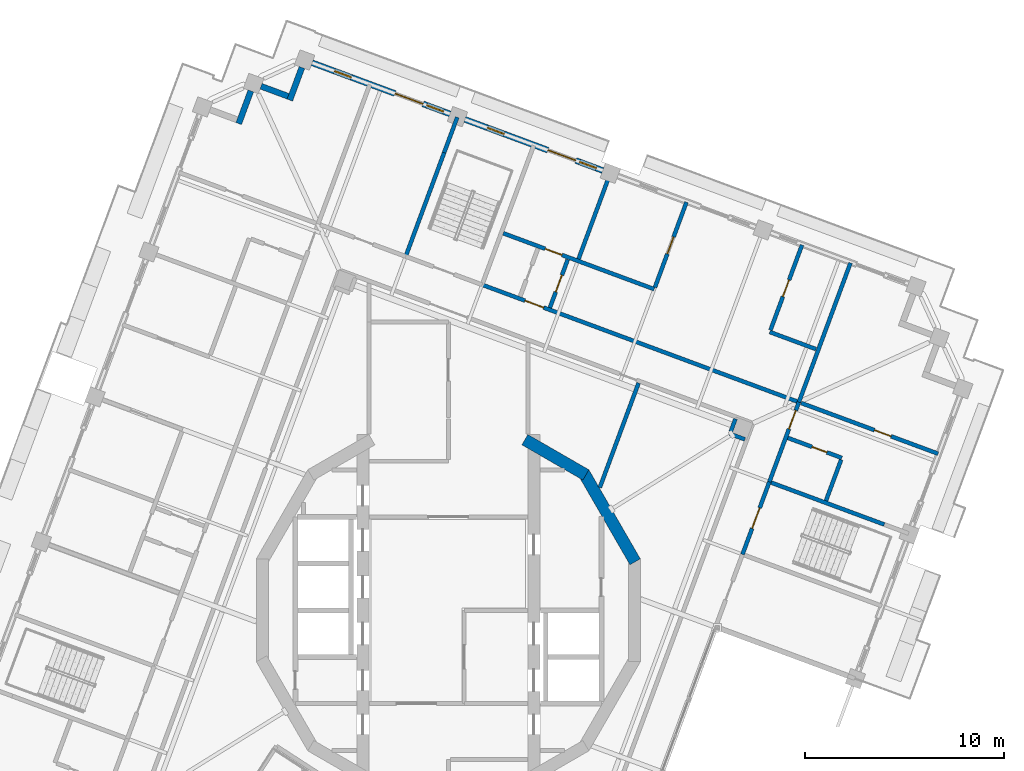
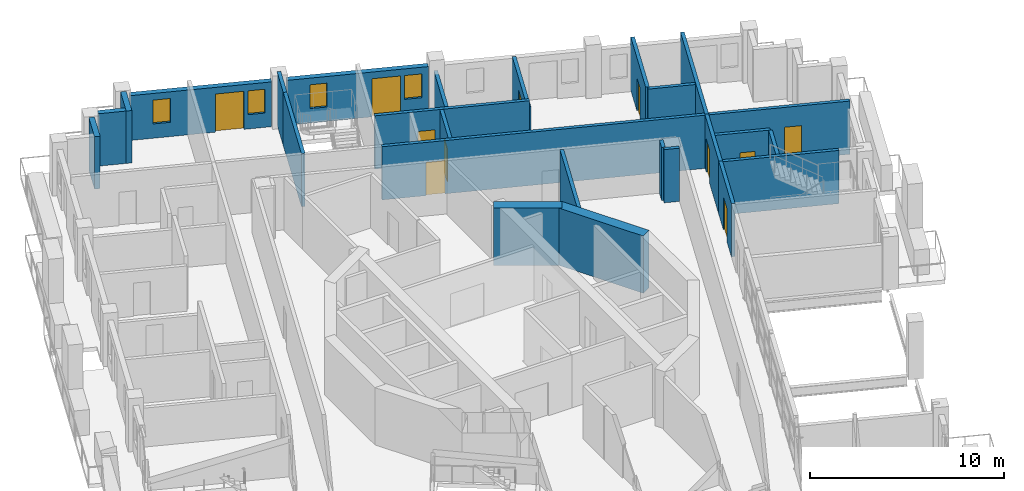
# One storey, part 10 of 19: 26 walls, 11 doors, 4 windows, 15 openings.
"""IFC4 building model written with IfcOpenShell, lengths in metres."""

from ifc_helpers import new_model, si_unit, direction, frame, frame_2d, origin, place, context, subcontext, project, spatial, rectangle, extrude, material, layer, layer_set, type_object, element, fill, save


model = new_model("IFC4")

# Units and contexts
model_context = context("Model", 3, precision=1e-05, world=origin(), true_north=direction((0.0, 1.0)))
body_context = subcontext(model_context, "Body", "Model", "MODEL_VIEW")
ifc_project = project(units=[si_unit("LENGTHUNIT", "METRE"), si_unit("AREAUNIT", "SQUARE_METRE"), si_unit("VOLUMEUNIT", "CUBIC_METRE"), si_unit("PLANEANGLEUNIT", "RADIAN"), si_unit("MASSUNIT", "GRAM", prefix="KILO")], contexts=[model_context])

# Site, building, storey
site_placement = place(None, origin())
site = spatial("IfcSite", under=ifc_project, at=site_placement, CompositionType="ELEMENT")
building_placement = place(site_placement, origin())
building = spatial("IfcBuilding", under=site, at=building_placement, Name="Cantera Rosa Tower", CompositionType="ELEMENT")
storey_placement = place(building_placement, frame((0.0, 0.0, 334.89990234375)))
storey = spatial("IfcBuildingStorey", under=building, at=storey_placement, Name="L75", CompositionType="ELEMENT", Elevation=334.89990234375)

# Wall, opening, door
ifc_material_1 = material(Name="Gypsum board partition")
ifc_layer_1 = layer(ifc_material_1, 0.199951171875)
ifc_layer_set_1 = layer_set([ifc_layer_1], Name="CORRIDOR WALL 200 H3350")
wall_type_1 = type_object("IfcWallType", Name="CORRIDOR WALL 200 H3350", PredefinedType="PARTITIONING", material=ifc_layer_set_1)
wall_1_placement = place(storey_placement, frame((16.1513671875, 6.460205078125, 0.0), z_axis=(0.0, 0.0, 1.0), x_axis=(0.347438825371, 0.937702651497, 0.0)))
wall_1 = element("IfcWall", 1, at=wall_1_placement, inside=storey, type_object=wall_type_1, Name="CORRIDOR WALL L75-109", PredefinedType="PARTITIONING", context=body_context, shape_type="SweptSolid", body=[
    extrude(rectangle(XDim=4.280029296875, YDim=0.199951171875, at=frame_2d((2.14013671875, 0.0))), origin(), (0.0, 0.0, 1.0), 3.35009765625),
])
opening_1_placement = place(wall_1_placement, frame((2.840087890625, 0.0, 0.0)))
opening_1 = element("IfcOpeningElement", 2, at=opening_1_placement, cuts=wall_1, Name="Opening L75-049", PredefinedType="OPENING", context=body_context, shape_type="SweptSolid", body=[
    extrude(rectangle(XDim=1.0, YDim=2.10009765625, at=frame_2d((0.5, 1.050048828125))), frame((0.0, 0.10986328125, 0.0), z_axis=(0.0, -1.0, 0.0), x_axis=(1.0, 0.0, 0.0)), (0.0, 0.0, 1.0), 0.219970703125),
])
ifc_material_2 = material(Name="Timber door leaf", Category="wood")
door_type_1 = type_object("IfcDoorType", Name="ENTRANCE DOOR 1000x2100", OperationType="NOTDEFINED", PredefinedType="DOOR", material=ifc_material_2)
door_1_placement = place(opening_1_placement, origin())
door_1 = element("IfcDoor", 3, at=door_1_placement, inside=storey, type_object=door_type_1, Name="DOOR L75-049", OperationType="NOTDEFINED", OverallHeight=2.10009765625, OverallWidth=1.0, PredefinedType="DOOR", context=body_context, shape_type="SweptSolid", body=[
    extrude(rectangle(XDim=1.0, YDim=2.10009765625, at=frame_2d((0.5, 1.050048828125))), frame((0.0, 0.02490234375, 0.0), z_axis=(0.0, -1.0, 0.0), x_axis=(1.0, 0.0, 0.0)), (0.0, 0.0, 1.0), 0.050048828125),
])
fill(opening_1, door_1)

wall_2_placement = place(storey_placement, frame((17.544677734375, 10.50830078125, 0.0), z_axis=(0.0, 0.0, 1.0), x_axis=(-0.937684617113, 0.347487494493, 0.0)))
wall_2 = element("IfcWall", 4, at=wall_2_placement, inside=storey, type_object=wall_type_1, Name="CORRIDOR WALL L75-112", PredefinedType="PARTITIONING", context=body_context, shape_type="SweptSolid", body=[
    extrude(rectangle(XDim=16.900146484375, YDim=0.199951171875, at=frame_2d((8.4501953125, 0.0))), origin(), (0.0, 0.0, 1.0), 3.35009765625),
])
opening_2_placement = place(wall_2_placement, frame((13.60009765625, 0.0, 0.0)))
opening_2 = element("IfcOpeningElement", 5, at=opening_2_placement, cuts=wall_2, Name="Opening L75-021", PredefinedType="OPENING", context=body_context, shape_type="SweptSolid", body=[
    extrude(rectangle(XDim=1.0, YDim=2.10009765625, at=frame_2d((0.5, 1.050048828125))), frame((0.0, 0.10986328125, 0.0), z_axis=(0.0, -1.0, 0.0), x_axis=(1.0, 0.0, 0.0)), (0.0, 0.0, 1.0), 0.219970703125),
])
door_2_placement = place(opening_2_placement, origin())
door_2 = element("IfcDoor", 6, at=door_2_placement, inside=storey, type_object=door_type_1, Name="DOOR L75-021", OperationType="NOTDEFINED", OverallHeight=2.10009765625, OverallWidth=1.0, PredefinedType="DOOR", context=body_context, shape_type="SweptSolid", body=[
    extrude(rectangle(XDim=1.0, YDim=2.10009765625, at=frame_2d((0.5, 1.050048828125))), frame((0.0, 0.02490234375, 0.0), z_axis=(0.0, -1.0, 0.0), x_axis=(1.0, 0.0, 0.0)), (0.0, 0.0, 1.0), 0.050048828125),
])
fill(opening_2, door_2)

# Walls
ifc_material_3 = material(Name="Hollow clay masonry with cantera stone cladding", Category="masonry")
ifc_layer_2 = layer(ifc_material_3, 0.300048828125)
ifc_layer_set_2 = layer_set([ifc_layer_2], Name="EW-LOGGIA 300")
wall_type_2 = type_object("IfcWallType", Name="EW-LOGGIA 300", PredefinedType="SOLIDWALL", material=ifc_layer_set_2)
wall_3_placement = place(storey_placement, frame((-7.36865234375, 27.312255859375, 0.0), z_axis=(0.0, 0.0, 1.0), x_axis=(-0.34752790836, -0.937669639538, 0.0)))
element("IfcWall", 7, at=wall_3_placement, inside=storey, type_object=wall_type_2, Name="EN-L75-W05a", PredefinedType="SOLIDWALL", context=body_context, shape_type="SweptSolid", body=[
    extrude(rectangle(XDim=1.75, YDim=0.300048828125, at=frame_2d((0.875, 0.0))), origin(), (0.0, 0.0, 1.0), 3.300048828125),
])
wall_4_placement = place(storey_placement, frame((-8.065185546875, 25.8642578125, 0.0), z_axis=(0.0, 0.0, 1.0), x_axis=(-0.937671557958, 0.347522732201, 0.0)))
element("IfcWall", 8, at=wall_4_placement, inside=storey, type_object=wall_type_2, Name="EN-L75-W05b", PredefinedType="SOLIDWALL", context=body_context, shape_type="SweptSolid", body=[
    extrude(rectangle(XDim=1.449951171875, YDim=0.300048828125, at=frame_2d((0.72509765625, 0.0))), origin(), (0.0, 0.0, 1.0), 3.300048828125),
])
wall_5_placement = place(storey_placement, frame((-9.93896484375, 26.132080078125, 0.0), z_axis=(0.0, 0.0, 1.0), x_axis=(-0.34748245117, -0.937686486054, 0.0)))
element("IfcWall", 9, at=wall_5_placement, inside=storey, type_object=wall_type_2, Name="EN-L75-W06a", PredefinedType="SOLIDWALL", context=body_context, shape_type="SweptSolid", body=[
    extrude(rectangle(XDim=1.750244140625, YDim=0.300048828125, at=frame_2d((0.875, 0.0))), origin(), (0.0, 0.0, 1.0), 3.300048828125),
])

# Wall, openings, windows, door
ifc_material_4 = material(Name="Hollow clay masonry with cantera stone cladding", Category="masonry")
ifc_layer_3 = layer(ifc_material_4, 0.300048828125)
ifc_layer_set_3 = layer_set([ifc_layer_3], Name="EW-LOGGIA 300 H2820")
wall_type_3 = type_object("IfcWallType", Name="EW-LOGGIA 300 H2820", PredefinedType="SOLIDWALL", material=ifc_layer_set_3)
wall_6_placement = place(storey_placement, frame((7.7734375, 22.127685546875, 0.0), z_axis=(0.0, 0.0, 1.0), x_axis=(-0.937680690562, 0.34749808999, 0.0)))
wall_6 = element("IfcWall", 10, at=wall_6_placement, inside=storey, type_object=wall_type_3, Name="EN-L75-W03", PredefinedType="SOLIDWALL", context=body_context, shape_type="SweptSolid", body=[
    extrude(rectangle(XDim=7.400146484375, YDim=0.300048828125, at=frame_2d((3.7001953125, 0.0))), origin(), (0.0, 0.0, 1.0), 2.820068359375),
])
opening_3_placement = place(wall_6_placement, frame((0.35009765625, 0.0, 0.89990234375)))
opening_3 = element("IfcOpeningElement", 11, at=opening_3_placement, cuts=wall_6, Name="Opening L75-W07", PredefinedType="OPENING", context=body_context, shape_type="SweptSolid", body=[
    extrude(rectangle(XDim=0.89990234375, YDim=1.5, at=frame_2d((0.449951171875, 0.75))), frame((0.0, 0.159912109375, 0.0), z_axis=(0.0, -1.0, 0.0), x_axis=(1.0, 0.0, 0.0)), (0.0, 0.0, 1.0), 0.320068359375),
])
opening_4_placement = place(wall_6_placement, frame((1.449951171875, 0.0, 0.0)))
opening_4 = element("IfcOpeningElement", 12, at=opening_4_placement, cuts=wall_6, Name="Opening L75-TD08", PredefinedType="OPENING", context=body_context, shape_type="SweptSolid", body=[
    extrude(rectangle(XDim=1.5, YDim=2.39990234375, at=frame_2d((0.75, 1.199951171875))), frame((0.0, 0.159912109375, 0.0), z_axis=(0.0, -1.0, 0.0), x_axis=(1.0, 0.0, 0.0)), (0.0, 0.0, 1.0), 0.320068359375),
])
opening_5_placement = place(wall_6_placement, frame((5.300048828125, 0.0, 0.89990234375)))
opening_5 = element("IfcOpeningElement", 13, at=opening_5_placement, cuts=wall_6, Name="Opening L75-W09", PredefinedType="OPENING", context=body_context, shape_type="SweptSolid", body=[
    extrude(rectangle(XDim=0.89990234375, YDim=1.5, at=frame_2d((0.449951171875, 0.75))), frame((0.0, 0.159912109375, 0.0), z_axis=(0.0, -1.0, 0.0), x_axis=(1.0, 0.0, 0.0)), (0.0, 0.0, 1.0), 0.320068359375),
])
ifc_material_5 = material(Name="Aluminium frame with clear glass", Category="aluminium")
window_type = type_object("IfcWindowType", Name="Residential window 900x1500", PartitioningType="SINGLE_PANEL", PredefinedType="WINDOW", material=ifc_material_5)
window_1_placement = place(opening_3_placement, origin())
window_1 = element("IfcWindow", 14, at=window_1_placement, inside=storey, type_object=window_type, Name="WINDOW L75-W07", OverallHeight=1.5, OverallWidth=0.89990234375, PartitioningType="SINGLE_PANEL", PredefinedType="WINDOW", context=body_context, shape_type="SweptSolid", body=[
    extrude(rectangle(XDim=0.89990234375, YDim=1.5, at=frame_2d((0.449951171875, 0.75))), frame((0.0, 0.030029296875, 0.0), z_axis=(0.0, -1.0, 0.0), x_axis=(1.0, 0.0, 0.0)), (0.0, 0.0, 1.0), 0.06005859375),
])
fill(opening_3, window_1)
window_2_placement = place(opening_5_placement, origin())
window_2 = element("IfcWindow", 15, at=window_2_placement, inside=storey, type_object=window_type, Name="WINDOW L75-W09", OverallHeight=1.5, OverallWidth=0.89990234375, PartitioningType="SINGLE_PANEL", PredefinedType="WINDOW", context=body_context, shape_type="SweptSolid", body=[
    extrude(rectangle(XDim=0.89990234375, YDim=1.5, at=frame_2d((0.449951171875, 0.75))), frame((0.0, 0.030029296875, 0.0), z_axis=(0.0, -1.0, 0.0), x_axis=(1.0, 0.0, 0.0)), (0.0, 0.0, 1.0), 0.06005859375),
])
fill(opening_5, window_2)
ifc_material_6 = material(Name="Aluminium frame with clear glass", Category="aluminium")
door_type_2 = type_object("IfcDoorType", Name="TD-R 1500x2400", OperationType="NOTDEFINED", PredefinedType="DOOR", material=ifc_material_6)
door_3_placement = place(opening_4_placement, origin())
door_3 = element("IfcDoor", 16, at=door_3_placement, inside=storey, type_object=door_type_2, Name="LOGGIA DOOR L75-TD08", OperationType="SLIDING_TO_LEFT", OverallHeight=2.39990234375, OverallWidth=1.5, PredefinedType="DOOR", context=body_context, shape_type="SweptSolid", body=[
    extrude(rectangle(XDim=1.5, YDim=2.39990234375, at=frame_2d((0.75, 1.199951171875))), frame((0.0, 0.02490234375, 0.0), z_axis=(0.0, -1.0, 0.0), x_axis=(1.0, 0.0, 0.0)), (0.0, 0.0, 1.0), 0.050048828125),
])
fill(opening_4, door_3)

wall_7_placement = place(storey_placement, frame((0.084228515625, 24.97705078125, 0.0), z_axis=(0.0, 0.0, 1.0), x_axis=(-0.937687456783, 0.347479831633, 0.0)))
wall_7 = element("IfcWall", 17, at=wall_7_placement, inside=storey, type_object=wall_type_3, Name="EN-L75-W04", PredefinedType="SOLIDWALL", context=body_context, shape_type="SweptSolid", body=[
    extrude(rectangle(XDim=7.39990234375, YDim=0.300048828125, at=frame_2d((3.699951171875, 0.0))), origin(), (0.0, 0.0, 1.0), 2.820068359375),
])
opening_6_placement = place(wall_7_placement, frame((0.35009765625, 0.0, 0.89990234375)))
opening_6 = element("IfcOpeningElement", 18, at=opening_6_placement, cuts=wall_7, Name="Opening L75-W10", PredefinedType="OPENING", context=body_context, shape_type="SweptSolid", body=[
    extrude(rectangle(XDim=0.89990234375, YDim=1.5, at=frame_2d((0.449951171875, 0.75))), frame((0.0, 0.159912109375, 0.0), z_axis=(0.0, -1.0, 0.0), x_axis=(1.0, 0.0, 0.0)), (0.0, 0.0, 1.0), 0.320068359375),
])
opening_7_placement = place(wall_7_placement, frame((1.449951171875, 0.0, 0.0)))
opening_7 = element("IfcOpeningElement", 19, at=opening_7_placement, cuts=wall_7, Name="Opening L75-TD11", PredefinedType="OPENING", context=body_context, shape_type="SweptSolid", body=[
    extrude(rectangle(XDim=1.5, YDim=2.39990234375, at=frame_2d((0.75, 1.199951171875))), frame((0.0, 0.159912109375, 0.0), z_axis=(0.0, -1.0, 0.0), x_axis=(1.0, 0.0, 0.0)), (0.0, 0.0, 1.0), 0.320068359375),
])
opening_8_placement = place(wall_7_placement, frame((5.300048828125, 0.0, 0.89990234375)))
opening_8 = element("IfcOpeningElement", 20, at=opening_8_placement, cuts=wall_7, Name="Opening L75-W12", PredefinedType="OPENING", context=body_context, shape_type="SweptSolid", body=[
    extrude(rectangle(XDim=0.89990234375, YDim=1.5, at=frame_2d((0.449951171875, 0.75))), frame((0.0, 0.159912109375, 0.0), z_axis=(0.0, -1.0, 0.0), x_axis=(1.0, 0.0, 0.0)), (0.0, 0.0, 1.0), 0.320068359375),
])
window_3_placement = place(opening_6_placement, origin())
window_3 = element("IfcWindow", 21, at=window_3_placement, inside=storey, type_object=window_type, Name="WINDOW L75-W10", OverallHeight=1.5, OverallWidth=0.89990234375, PartitioningType="SINGLE_PANEL", PredefinedType="WINDOW", context=body_context, shape_type="SweptSolid", body=[
    extrude(rectangle(XDim=0.89990234375, YDim=1.5, at=frame_2d((0.449951171875, 0.75))), frame((0.0, 0.030029296875, 0.0), z_axis=(0.0, -1.0, 0.0), x_axis=(1.0, 0.0, 0.0)), (0.0, 0.0, 1.0), 0.06005859375),
])
fill(opening_6, window_3)
window_4_placement = place(opening_8_placement, origin())
window_4 = element("IfcWindow", 22, at=window_4_placement, inside=storey, type_object=window_type, Name="WINDOW L75-W12", OverallHeight=1.5, OverallWidth=0.89990234375, PartitioningType="SINGLE_PANEL", PredefinedType="WINDOW", context=body_context, shape_type="SweptSolid", body=[
    extrude(rectangle(XDim=0.89990234375, YDim=1.5, at=frame_2d((0.449951171875, 0.75))), frame((0.0, 0.030029296875, 0.0), z_axis=(0.0, -1.0, 0.0), x_axis=(1.0, 0.0, 0.0)), (0.0, 0.0, 1.0), 0.06005859375),
])
fill(opening_8, window_4)
door_4_placement = place(opening_7_placement, origin())
door_4 = element("IfcDoor", 23, at=door_4_placement, inside=storey, type_object=door_type_2, Name="LOGGIA DOOR L75-TD11", OperationType="SLIDING_TO_LEFT", OverallHeight=2.39990234375, OverallWidth=1.5, PredefinedType="DOOR", context=body_context, shape_type="SweptSolid", body=[
    extrude(rectangle(XDim=1.5, YDim=2.39990234375, at=frame_2d((0.75, 1.199951171875))), frame((0.0, 0.02490234375, 0.0), z_axis=(0.0, -1.0, 0.0), x_axis=(1.0, 0.0, 0.0)), (0.0, 0.0, 1.0), 0.050048828125),
])
fill(opening_7, door_4)

# Wall
ifc_material_7 = material(Name="Gypsum board partition")
ifc_layer_4 = layer(ifc_material_7, 0.199951171875)
ifc_layer_set_4 = layer_set([ifc_layer_4], Name="PARTITION 200 H2450")
wall_type_4 = type_object("IfcWallType", Name="PARTITION 200 H2450", PredefinedType="PARTITIONING", material=ifc_layer_set_4)
wall_8_placement = place(storey_placement, frame((8.137939453125, 21.960693359375, 0.0), z_axis=(0.0, 0.0, 1.0), x_axis=(-0.347450063389, -0.937698487495, 0.0)))
element("IfcWall", 24, at=wall_8_placement, inside=storey, type_object=wall_type_4, Name="PARTITION L75-100", PredefinedType="PARTITIONING", context=body_context, shape_type="SweptSolid", body=[
    extrude(rectangle(XDim=4.570068359375, YDim=0.199951171875, at=frame_2d((2.28515625, 0.0))), origin(), (0.0, 0.0, 1.0), 2.4501953125),
])

# Wall, opening, door
ifc_material_8 = material(Name="Gypsum board partition")
ifc_layer_5 = layer(ifc_material_8, 0.199951171875)
ifc_layer_set_5 = layer_set([ifc_layer_5], Name="PARTITION 200 H2850")
wall_type_5 = type_object("IfcWallType", Name="PARTITION 200 H2850", PredefinedType="PARTITIONING", material=ifc_layer_set_5)
wall_9_placement = place(storey_placement, frame((11.982421875, 20.535888671875, 0.0), z_axis=(0.0, 0.0, 1.0), x_axis=(-0.347467468938, -0.937692037947, 0.0)))
wall_9 = element("IfcWall", 25, at=wall_9_placement, inside=storey, type_object=wall_type_5, Name="PARTITION L75-103", PredefinedType="PARTITIONING", context=body_context, shape_type="SweptSolid", body=[
    extrude(rectangle(XDim=4.56982421875, YDim=0.199951171875, at=frame_2d((2.284912109375, 0.0))), origin(), (0.0, 0.0, 1.0), 2.85009765625),
])
opening_9_placement = place(wall_9_placement, frame((1.8701171875, 0.0, 0.0)))
opening_9 = element("IfcOpeningElement", 26, at=opening_9_placement, cuts=wall_9, Name="Opening L75-025", PredefinedType="OPENING", context=body_context, shape_type="SweptSolid", body=[
    extrude(rectangle(XDim=0.89990234375, YDim=2.10009765625, at=frame_2d((0.449951171875, 1.050048828125))), frame((0.0, 0.10986328125, 0.0), z_axis=(0.0, -1.0, 0.0), x_axis=(1.0, 0.0, 0.0)), (0.0, 0.0, 1.0), 0.219970703125),
])
ifc_material_9 = material(Name="Timber door leaf", Category="wood")
door_type_3 = type_object("IfcDoorType", Name="ROOM DOOR 900x2100", OperationType="NOTDEFINED", PredefinedType="DOOR", material=ifc_material_9)
door_5_placement = place(opening_9_placement, origin())
door_5 = element("IfcDoor", 27, at=door_5_placement, inside=storey, type_object=door_type_3, Name="DOOR L75-025", OperationType="NOTDEFINED", OverallHeight=2.10009765625, OverallWidth=0.89990234375, PredefinedType="DOOR", context=body_context, shape_type="SweptSolid", body=[
    extrude(rectangle(XDim=0.89990234375, YDim=2.10009765625, at=frame_2d((0.449951171875, 1.050048828125))), frame((0.0, 0.02490234375, 0.0), z_axis=(0.0, -1.0, 0.0), x_axis=(1.0, 0.0, 0.0)), (0.0, 0.0, 1.0), 0.050048828125),
])
fill(opening_9, door_5)

ifc_material_10 = material(Name="Gypsum board partition")
ifc_layer_6 = layer(ifc_material_10, 0.199951171875)
ifc_layer_set_6 = layer_set([ifc_layer_6], Name="PARTITION 200 H3350")
wall_type_6 = type_object("IfcWallType", Name="PARTITION 200 H3350", PredefinedType="PARTITIONING", material=ifc_layer_set_6)
wall_10_placement = place(storey_placement, frame((2.764404296875, 18.9716796875, 0.0), z_axis=(0.0, 0.0, 1.0), x_axis=(0.937685847618, -0.347484173996, 0.0)))
wall_10 = element("IfcWall", 28, at=wall_10_placement, inside=storey, type_object=wall_type_6, Name="PARTITION L75-073", PredefinedType="PARTITIONING", context=body_context, shape_type="SweptSolid", body=[
    extrude(rectangle(XDim=8.10009765625, YDim=0.199951171875, at=frame_2d((4.050048828125, 0.0))), origin(), (0.0, 0.0, 1.0), 3.35009765625),
])
opening_10_placement = place(wall_10_placement, frame((2.25, 0.0, 0.0)))
opening_10 = element("IfcOpeningElement", 29, at=opening_10_placement, cuts=wall_10, Name="Opening L75-024", PredefinedType="OPENING", context=body_context, shape_type="SweptSolid", body=[
    extrude(rectangle(XDim=0.89990234375, YDim=2.10009765625, at=frame_2d((0.449951171875, 1.050048828125))), frame((0.0, 0.10986328125, 0.0), z_axis=(0.0, -1.0, 0.0), x_axis=(1.0, 0.0, 0.0)), (0.0, 0.0, 1.0), 0.219970703125),
])
door_6_placement = place(opening_10_placement, origin())
door_6 = element("IfcDoor", 30, at=door_6_placement, inside=storey, type_object=door_type_3, Name="DOOR L75-024", OperationType="NOTDEFINED", OverallHeight=2.10009765625, OverallWidth=0.89990234375, PredefinedType="DOOR", context=body_context, shape_type="SweptSolid", body=[
    extrude(rectangle(XDim=0.89990234375, YDim=2.10009765625, at=frame_2d((0.449951171875, 1.050048828125))), frame((0.0, 0.02490234375, 0.0), z_axis=(0.0, -1.0, 0.0), x_axis=(1.0, 0.0, 0.0)), (0.0, 0.0, 1.0), 0.050048828125),
])
fill(opening_10, door_6)

wall_11_placement = place(storey_placement, frame((6.004638671875, 17.642822265625, 0.0), z_axis=(0.0, 0.0, 1.0), x_axis=(-0.34748078016, -0.937687105286, 0.0)))
wall_11 = element("IfcWall", 31, at=wall_11_placement, inside=storey, type_object=wall_type_6, Name="PARTITION L75-088", PredefinedType="PARTITIONING", context=body_context, shape_type="SweptSolid", body=[
    extrude(rectangle(XDim=2.579833984375, YDim=0.199951171875, at=frame_2d((1.2900390625, 0.0))), origin(), (0.0, 0.0, 1.0), 3.35009765625),
])
opening_11_placement = place(wall_11_placement, frame((0.830078125, 0.0, 0.0)))
opening_11 = element("IfcOpeningElement", 32, at=opening_11_placement, cuts=wall_11, Name="Opening L75-023", PredefinedType="OPENING", context=body_context, shape_type="SweptSolid", body=[
    extrude(rectangle(XDim=0.89990234375, YDim=2.10009765625, at=frame_2d((0.449951171875, 1.050048828125))), frame((0.0, 0.10986328125, 0.0), z_axis=(0.0, -1.0, 0.0), x_axis=(1.0, 0.0, 0.0)), (0.0, 0.0, 1.0), 0.219970703125),
])
door_7_placement = place(opening_11_placement, origin())
door_7 = element("IfcDoor", 33, at=door_7_placement, inside=storey, type_object=door_type_3, Name="DOOR L75-023", OperationType="NOTDEFINED", OverallHeight=2.10009765625, OverallWidth=0.89990234375, PredefinedType="DOOR", context=body_context, shape_type="SweptSolid", body=[
    extrude(rectangle(XDim=0.89990234375, YDim=2.10009765625, at=frame_2d((0.449951171875, 1.050048828125))), frame((0.0, 0.02490234375, 0.0), z_axis=(0.0, -1.0, 0.0), x_axis=(1.0, 0.0, 0.0)), (0.0, 0.0, 1.0), 0.050048828125),
])
fill(opening_11, door_7)

# Walls
wall_12_placement = place(storey_placement, frame((7.62158203125, 6.177490234375, 0.0), z_axis=(0.0, 0.0, 1.0), x_axis=(0.34747170774, 0.937690467223, 0.0)))
element("IfcWall", 34, at=wall_12_placement, inside=storey, type_object=wall_type_6, Name="PARTITION L75-095", PredefinedType="PARTITIONING", context=body_context, shape_type="SweptSolid", body=[
    extrude(rectangle(XDim=5.609130859375, YDim=0.199951171875, at=frame_2d((2.8046875, 0.0))), origin(), (0.0, 0.0, 1.0), 3.35009765625),
])
wall_13_placement = place(storey_placement, frame((14.16845703125, 8.8798828125, 0.0), z_axis=(0.0, 0.0, 1.0), x_axis=(0.937763484234, -0.347274599759, 0.0)))
element("IfcWall", 35, at=wall_13_placement, inside=storey, type_object=wall_type_6, Name="PARTITION L75-104", PredefinedType="PARTITIONING", context=body_context, shape_type="SweptSolid", body=[
    extrude(rectangle(XDim=0.800048828125, YDim=0.199951171875, at=frame_2d((0.39990234375, 0.0))), origin(), (0.0, 0.0, 1.0), 3.35009765625),
])
wall_14_placement = place(storey_placement, frame((14.446533203125, 9.630126953125, 0.0), z_axis=(0.0, 0.0, 1.0), x_axis=(-0.347618433082, -0.937636083447, 0.0)))
element("IfcWall", 36, at=wall_14_placement, inside=storey, type_object=wall_type_6, Name="PARTITION L75-105", PredefinedType="PARTITIONING", context=body_context, shape_type="SweptSolid", body=[
    extrude(rectangle(XDim=0.679931640625, YDim=0.199951171875, at=frame_2d((0.33984375, 0.0))), origin(), (0.0, 0.0, 1.0), 3.35009765625),
])
wall_15_placement = place(storey_placement, frame((16.17333984375, 14.002685546875, 0.0), z_axis=(0.0, 0.0, 1.0), x_axis=(0.937677490933, -0.347506723674, 0.0)))
element("IfcWall", 37, at=wall_15_placement, inside=storey, type_object=wall_type_6, Name="PARTITION L75-110", PredefinedType="PARTITIONING", context=body_context, shape_type="SweptSolid", body=[
    extrude(rectangle(XDim=2.47998046875, YDim=0.199951171875, at=frame_2d((1.239990234375, 0.0))), origin(), (0.0, 0.0, 1.0), 3.35009765625),
])

# Wall, opening, door
wall_16_placement = place(storey_placement, frame((17.0791015625, 8.676025390625, 0.0), z_axis=(0.0, 0.0, 1.0), x_axis=(0.937671557958, -0.347522732201, 0.0)))
wall_16 = element("IfcWall", 38, at=wall_16_placement, inside=storey, type_object=wall_type_6, Name="PARTITION L75-111", PredefinedType="PARTITIONING", context=body_context, shape_type="SweptSolid", body=[
    extrude(rectangle(XDim=2.89990234375, YDim=0.199951171875, at=frame_2d((1.449951171875, 0.0))), origin(), (0.0, 0.0, 1.0), 3.35009765625),
])
opening_12_placement = place(wall_16_placement, frame((1.300048828125, 0.0, 0.0)))
opening_12 = element("IfcOpeningElement", 39, at=opening_12_placement, cuts=wall_16, Name="Opening L75-050", PredefinedType="OPENING", context=body_context, shape_type="SweptSolid", body=[
    extrude(rectangle(XDim=0.800048828125, YDim=2.10009765625, at=frame_2d((0.39990234375, 1.050048828125))), frame((0.0, 0.10986328125, 0.0), z_axis=(0.0, -1.0, 0.0), x_axis=(1.0, 0.0, 0.0)), (0.0, 0.0, 1.0), 0.219970703125),
])
ifc_material_11 = material(Name="Timber door leaf", Category="wood")
door_type_4 = type_object("IfcDoorType", Name="BATHROOM DOOR 800x2100", OperationType="NOTDEFINED", PredefinedType="DOOR", material=ifc_material_11)
door_8_placement = place(opening_12_placement, origin())
door_8 = element("IfcDoor", 40, at=door_8_placement, inside=storey, type_object=door_type_4, Name="DOOR L75-050", OperationType="NOTDEFINED", OverallHeight=2.10009765625, OverallWidth=0.800048828125, PredefinedType="DOOR", context=body_context, shape_type="SweptSolid", body=[
    extrude(rectangle(XDim=0.800048828125, YDim=2.10009765625, at=frame_2d((0.39990234375, 1.050048828125))), frame((0.0, 0.02490234375, 0.0), z_axis=(0.0, -1.0, 0.0), x_axis=(1.0, 0.0, 0.0)), (0.0, 0.0, 1.0), 0.050048828125),
])
fill(opening_12, door_8)

wall_17_placement = place(storey_placement, frame((17.796142578125, 18.381591796875, 0.0), z_axis=(0.0, 0.0, 1.0), x_axis=(-0.347450063389, -0.937698487495, 0.0)))
wall_17 = element("IfcWall", 41, at=wall_17_placement, inside=storey, type_object=wall_type_6, Name="PARTITION L75-113", PredefinedType="PARTITIONING", context=body_context, shape_type="SweptSolid", body=[
    extrude(rectangle(XDim=4.570068359375, YDim=0.199951171875, at=frame_2d((2.28515625, 0.0))), origin(), (0.0, 0.0, 1.0), 3.35009765625),
])
opening_13_placement = place(wall_17_placement, frame((1.8701171875, 0.0, 0.0)))
opening_13 = element("IfcOpeningElement", 42, at=opening_13_placement, cuts=wall_17, Name="Opening L75-026", PredefinedType="OPENING", context=body_context, shape_type="SweptSolid", body=[
    extrude(rectangle(XDim=0.89990234375, YDim=2.10009765625, at=frame_2d((0.449951171875, 1.050048828125))), frame((0.0, 0.10986328125, 0.0), z_axis=(0.0, -1.0, 0.0), x_axis=(1.0, 0.0, 0.0)), (0.0, 0.0, 1.0), 0.219970703125),
])
door_9_placement = place(opening_13_placement, origin())
door_9 = element("IfcDoor", 43, at=door_9_placement, inside=storey, type_object=door_type_3, Name="DOOR L75-026", OperationType="NOTDEFINED", OverallHeight=2.10009765625, OverallWidth=0.89990234375, PredefinedType="DOOR", context=body_context, shape_type="SweptSolid", body=[
    extrude(rectangle(XDim=0.89990234375, YDim=2.10009765625, at=frame_2d((0.449951171875, 1.050048828125))), frame((0.0, 0.02490234375, 0.0), z_axis=(0.0, -1.0, 0.0), x_axis=(1.0, 0.0, 0.0)), (0.0, 0.0, 1.0), 0.050048828125),
])
fill(opening_13, door_9)

# Wall
wall_18_placement = place(storey_placement, frame((19.763427734375, 7.574462890625, 0.0), z_axis=(0.0, 0.0, 1.0), x_axis=(-0.347484236727, -0.937685824371, 0.0)))
element("IfcWall", 44, at=wall_18_placement, inside=storey, type_object=wall_type_6, Name="PARTITION L75-114", PredefinedType="PARTITIONING", context=body_context, shape_type="SweptSolid", body=[
    extrude(rectangle(XDim=2.19970703125, YDim=0.199951171875, at=frame_2d((1.099853515625, 0.0))), origin(), (0.0, 0.0, 1.0), 3.35009765625),
])

# Wall, opening, door
wall_19_placement = place(storey_placement, frame((24.64306640625, 7.8779296875, 0.0), z_axis=(0.0, 0.0, 1.0), x_axis=(-0.937689847803, 0.347473379308, 0.0)))
wall_19 = element("IfcWall", 45, at=wall_19_placement, inside=storey, type_object=wall_type_6, Name="PARTITION L75-118", PredefinedType="PARTITIONING", context=body_context, shape_type="SweptSolid", body=[
    extrude(rectangle(XDim=7.35009765625, YDim=0.199951171875, at=frame_2d((3.675048828125, 0.0))), origin(), (0.0, 0.0, 1.0), 3.35009765625),
])
opening_14_placement = place(wall_19_placement, frame((2.52001953125, 0.0, 0.0)))
opening_14 = element("IfcOpeningElement", 46, at=opening_14_placement, cuts=wall_19, Name="Opening L75-051", PredefinedType="OPENING", context=body_context, shape_type="SweptSolid", body=[
    extrude(rectangle(XDim=0.89990234375, YDim=2.10009765625, at=frame_2d((0.449951171875, 1.050048828125))), frame((0.0, 0.10986328125, 0.0), z_axis=(0.0, -1.0, 0.0), x_axis=(1.0, 0.0, 0.0)), (0.0, 0.0, 1.0), 0.219970703125),
])
door_10_placement = place(opening_14_placement, origin())
door_10 = element("IfcDoor", 47, at=door_10_placement, inside=storey, type_object=door_type_3, Name="DOOR L75-051", OperationType="NOTDEFINED", OverallHeight=2.10009765625, OverallWidth=0.89990234375, PredefinedType="DOOR", context=body_context, shape_type="SweptSolid", body=[
    extrude(rectangle(XDim=0.89990234375, YDim=2.10009765625, at=frame_2d((0.449951171875, 1.050048828125))), frame((0.0, 0.02490234375, 0.0), z_axis=(0.0, -1.0, 0.0), x_axis=(1.0, 0.0, 0.0)), (0.0, 0.0, 1.0), 0.050048828125),
])
fill(opening_14, door_10)

# Walls
ifc_material_12 = material(Name="Gypsum board partition")
ifc_layer_7 = layer(ifc_material_12, 0.199951171875)
ifc_layer_set_7 = layer_set([ifc_layer_7], Name="PARTY WALL 200 H3350")
wall_type_7 = type_object("IfcWallType", Name="PARTY WALL 200 H3350", PredefinedType="PARTITIONING", material=ifc_layer_set_7)
wall_20_placement = place(storey_placement, frame((20.234130859375, 17.47802734375, 0.0), z_axis=(0.0, 0.0, 1.0), x_axis=(-0.347488923611, -0.937684087509, 0.0)))
element("IfcWall", 48, at=wall_20_placement, inside=storey, type_object=wall_type_7, Name="PARTY WALL L75-115", PredefinedType="PARTITIONING", context=body_context, shape_type="SweptSolid", body=[
    extrude(rectangle(XDim=7.469970703125, YDim=0.199951171875, at=frame_2d((3.73486328125, 0.0))), origin(), (0.0, 0.0, 1.0), 3.35009765625),
])
ifc_material_13 = material(Name="Concrete C50/60", Category="concrete")
ifc_layer_8 = layer(ifc_material_13, 0.60009765625)
ifc_layer_set_8 = layer_set([ifc_layer_8], Name="RC CORE WALL 600 C50/60")
wall_type_8 = type_object("IfcWallType", Name="RC CORE WALL 600 C50/60", PredefinedType="SHEAR", material=ifc_layer_set_8)
wall_21_placement = place(storey_placement, frame((3.85009765625, 8.584228515625, 0.0), z_axis=(0.0, 0.0, 1.0), x_axis=(0.866039982607, -0.499974747889, 0.0)))
element("IfcWall", 49, at=wall_21_placement, inside=storey, type_object=wall_type_8, Name="CW-E1 L75", PredefinedType="SHEAR", context=body_context, shape_type="SweptSolid", body=[
    extrude(rectangle(XDim=3.546142578125, YDim=0.60009765625, at=frame_2d((1.77294921875, 0.0))), origin(), (0.0, 0.0, 1.0), 3.60009765625),
])
wall_22_placement = place(storey_placement, frame((6.811279296875, 6.921142578125, 0.0), z_axis=(0.0, 0.0, 1.0), x_axis=(0.499989188378, -0.866031645787, 0.0)))
element("IfcWall", 50, at=wall_22_placement, inside=storey, type_object=wall_type_8, Name="CW-E2 L75", PredefinedType="SHEAR", context=body_context, shape_type="SweptSolid", body=[
    extrude(rectangle(XDim=5.17626953125, YDim=0.60009765625, at=frame_2d((2.588134765625, 0.0))), origin(), (0.0, 0.0, 1.0), 3.60009765625),
])
ifc_material_14 = material(Name="Concrete C50/60", Category="concrete")
ifc_layer_9 = layer(ifc_material_14, 0.199951171875)
ifc_layer_set_9 = layer_set([ifc_layer_9], Name="STAIR WALL 200 H3350")
wall_type_9 = type_object("IfcWallType", Name="STAIR WALL 200 H3350", PredefinedType="SOLIDWALL", material=ifc_layer_set_9)
wall_23_placement = place(storey_placement, frame((0.448974609375, 24.81005859375, 0.0), z_axis=(0.0, 0.0, 1.0), x_axis=(-0.34743152672, -0.937705355771, 0.0)))
element("IfcWall", 51, at=wall_23_placement, inside=storey, type_object=wall_type_9, Name="STAIR WALL L75-068", PredefinedType="SOLIDWALL", context=body_context, shape_type="SweptSolid", body=[
    extrude(rectangle(XDim=1.900146484375, YDim=0.199951171875, at=frame_2d((0.9501953125, 0.0))), origin(), (0.0, 0.0, 1.0), 3.35009765625),
])

# Wall, opening, door
wall_24_placement = place(storey_placement, frame((16.1513671875, 6.460205078125, 0.0), z_axis=(0.0, 0.0, 1.0), x_axis=(-0.347516717491, -0.937673787126, 0.0)))
wall_24 = element("IfcWall", 52, at=wall_24_placement, inside=storey, type_object=wall_type_9, Name="STAIR WALL L75-108", PredefinedType="SOLIDWALL", context=body_context, shape_type="SweptSolid", body=[
    extrude(rectangle(XDim=3.889892578125, YDim=0.199951171875, at=frame_2d((1.94482421875, 0.0))), origin(), (0.0, 0.0, 1.0), 3.35009765625),
])
opening_15_placement = place(wall_24_placement, frame((1.39501953125, 0.0, 0.0)))
opening_15 = element("IfcOpeningElement", 53, at=opening_15_placement, cuts=wall_24, Name="Opening L75-001", PredefinedType="OPENING", context=body_context, shape_type="SweptSolid", body=[
    extrude(rectangle(XDim=1.10009765625, YDim=2.10009765625, at=frame_2d((0.550048828125, 1.050048828125))), frame((0.0, 0.10986328125, 0.0), z_axis=(0.0, -1.0, 0.0), x_axis=(1.0, 0.0, 0.0)), (0.0, 0.0, 1.0), 0.219970703125),
])
ifc_material_15 = material(Name="Steel S355J2 (EN 10025-2)", Category="steel")
door_type_5 = type_object("IfcDoorType", Name="STAIR DOOR 1100x2100", OperationType="NOTDEFINED", PredefinedType="DOOR", material=ifc_material_15)
door_11_placement = place(opening_15_placement, origin())
door_11 = element("IfcDoor", 54, at=door_11_placement, inside=storey, type_object=door_type_5, Name="DOOR L75-001", OperationType="NOTDEFINED", OverallHeight=2.10009765625, OverallWidth=1.10009765625, PredefinedType="DOOR", context=body_context, shape_type="SweptSolid", body=[
    extrude(rectangle(XDim=1.10009765625, YDim=2.10009765625, at=frame_2d((0.550048828125, 1.050048828125))), frame((0.0, 0.02490234375, 0.0), z_axis=(0.0, -1.0, 0.0), x_axis=(1.0, 0.0, 0.0)), (0.0, 0.0, 1.0), 0.050048828125),
])
fill(opening_15, door_11)

# Walls
wall_25_placement = place(storey_placement, frame((21.936767578125, 4.31640625, 0.0), z_axis=(0.0, 0.0, 1.0), x_axis=(-0.937692901762, 0.347465137797, 0.0)))
element("IfcWall", 55, at=wall_25_placement, inside=storey, type_object=wall_type_9, Name="STAIR WALL L75-117 J", PredefinedType="SOLIDWALL", context=body_context, shape_type="SweptSolid", body=[
    extrude(rectangle(XDim=6.169921875, YDim=0.199951171875, at=frame_2d((3.0849609375, 0.0))), origin(), (0.0, 0.0, 1.0), 3.35009765625),
])
wall_26_placement = place(storey_placement, frame((-0.211181640625, 23.0283203125, 0.0), z_axis=(0.0, 0.0, 1.0), x_axis=(-0.347494221501, -0.937682124189, 0.0)))
element("IfcWall", 56, at=wall_26_placement, inside=storey, type_object=wall_type_9, Name="STAIR WALL L75-068 J", PredefinedType="SOLIDWALL", context=body_context, shape_type="SweptSolid", body=[
    extrude(rectangle(XDim=5.570068359375, YDim=0.199951171875, at=frame_2d((2.78515625, 0.0))), origin(), (0.0, 0.0, 1.0), 3.35009765625),
])

save(model, "model.ifc")
